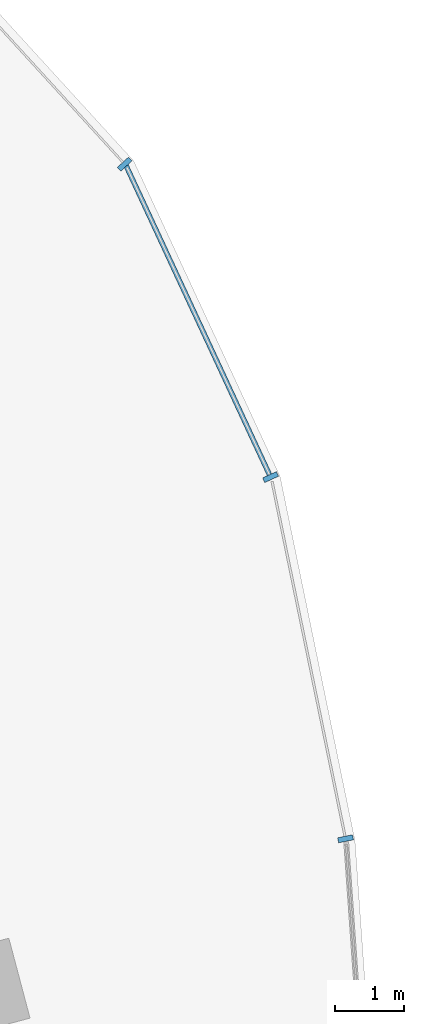
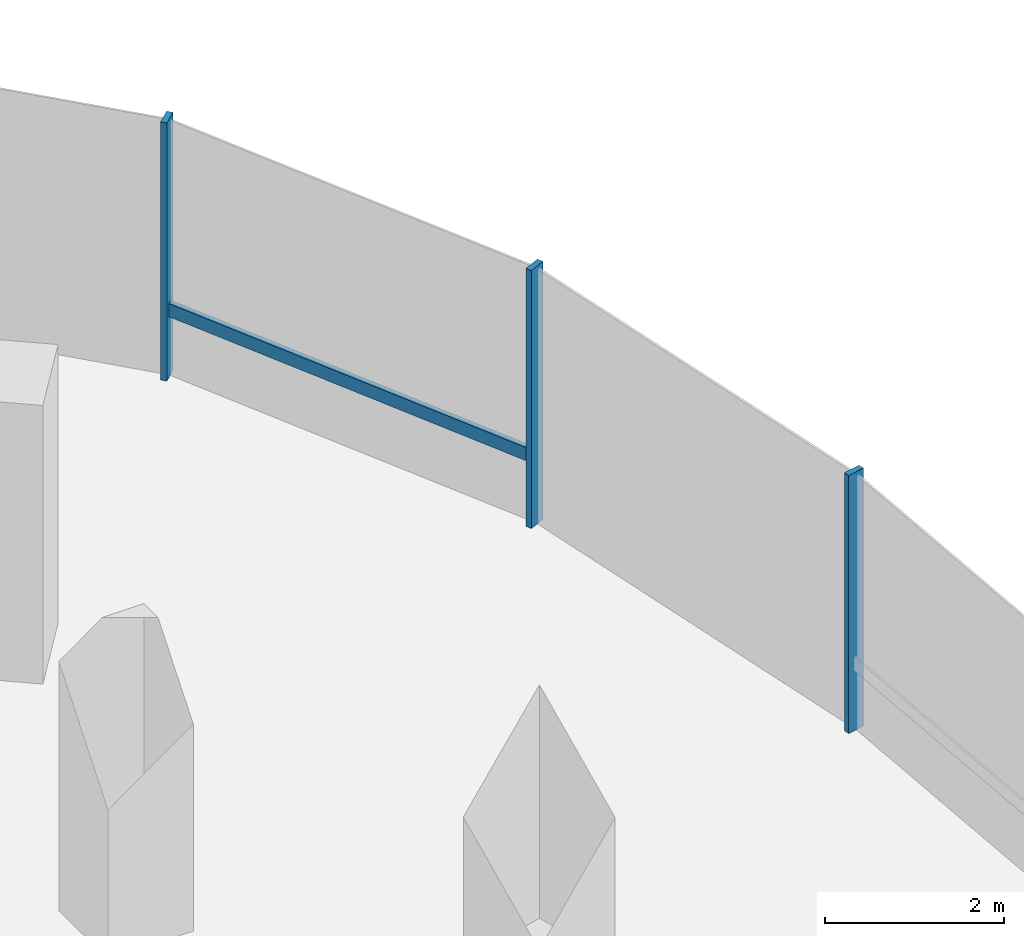
# One storey, part 8 of 21: 4 members, 1 element without a shape of its own.
"""IFC4 building model written with IfcOpenShell, lengths in metres."""

from ifc_helpers import new_model, si_unit, direction, frame, origin, origin_2d, place, context, subcontext, project, spatial, rectangle, extrude, material, material_profile, profile_set, type_object, element, aggregate, save


model = new_model("IFC4")

# Units and contexts
model_context = context("Model", 3, precision=1e-05, world=origin(), true_north=direction((0.0, 1.0)))
body_context = subcontext(model_context, "Body", "Model", "MODEL_VIEW")
ifc_project = project(units=[si_unit("LENGTHUNIT", "METRE"), si_unit("AREAUNIT", "SQUARE_METRE"), si_unit("VOLUMEUNIT", "CUBIC_METRE"), si_unit("PLANEANGLEUNIT", "RADIAN"), si_unit("MASSUNIT", "GRAM", prefix="KILO"), si_unit("THERMODYNAMICTEMPERATUREUNIT", "KELVIN"), si_unit("POWERUNIT", "WATT")], contexts=[model_context])

# Site, building, storey
site_placement = place(None, origin())
site = spatial("IfcSite", under=ifc_project, at=site_placement, CompositionType="ELEMENT")
building_placement = place(site_placement, origin())
building = spatial("IfcBuilding", under=site, at=building_placement, Name="Cundina Bronze Exchange", CompositionType="ELEMENT")
storey_placement = place(building_placement, frame((0.0, 0.0, 73.39990234375)))
storey = spatial("IfcBuildingStorey", under=building, at=storey_placement, Name="L18", CompositionType="ELEMENT", Elevation=73.39990234375)

# Curtain wall, members
ifc_material = material(Name="Anodised Bronze Aluminium 6063-T6", Category="aluminium")
curtain_wall_type = type_object("IfcCurtainWallType", Name="CWS-TRD-LOW", PredefinedType="NOTDEFINED", material=ifc_material)
curtain_wall_placement = place(storey_placement, origin())
curtain_wall = element("IfcCurtainWall", 1, at=curtain_wall_placement, inside=storey, type_object=curtain_wall_type, Name="L18 CW-02 Curtain Wall Run CWR-L18-E1", PredefinedType="NOTDEFINED")
ifc_material_profile_1 = material_profile(ifc_material, rectangle(XDim=0.074951171875, YDim=0.219970703125, at=origin_2d()), Name="AL75X220", Category="aluminium")
ifc_profile_set_1 = profile_set([ifc_material_profile_1], Name="Anodised Bronze Aluminium 6063-T6")
member_type_1 = type_object("IfcMemberType", Name="CWM-MUL-220", PredefinedType="MULLION", material=ifc_profile_set_1)
member_1_placement = place(storey_placement, frame((50.717041015625, 8.67822265625, 0.0), z_axis=(0.0, 0.0, 1.0), x_axis=(-0.201419845156, 0.979505000486, 0.0)))
member_1 = element("IfcMember", 2, at=member_1_placement, type_object=member_type_1, Name="CW-02 Mullion 2", PredefinedType="MULLION", context=body_context, shape_type="SweptSolid", body=[
    extrude(rectangle(XDim=0.074951171875, YDim=0.219970703125, at=origin_2d()), origin(), (0.0, 0.0, 1.0), 3.52001953125),
])
member_2_placement = place(storey_placement, frame((49.6279296875, 13.931884765625, 0.0), z_axis=(0.0, 0.0, 1.0), x_axis=(-0.42087749791, 0.907117485088, 0.0)))
member_2 = element("IfcMember", 3, at=member_2_placement, type_object=member_type_1, Name="CW-02 Mullion 3", PredefinedType="MULLION", context=body_context, shape_type="SweptSolid", body=[
    extrude(rectangle(XDim=0.074951171875, YDim=0.219970703125, at=origin_2d()), origin(), (0.0, 0.0, 1.0), 3.52001953125),
])
member_3_placement = place(storey_placement, frame((47.508544921875, 18.47705078125, 0.0), z_axis=(0.0, 0.0, 1.0), x_axis=(-0.674302387584, 0.738455340626, 0.0)))
member_3 = element("IfcMember", 4, at=member_3_placement, type_object=member_type_1, Name="CW-02 Mullion 4", PredefinedType="MULLION", context=body_context, shape_type="SweptSolid", body=[
    extrude(rectangle(XDim=0.074951171875, YDim=0.219970703125, at=origin_2d()), origin(), (0.0, 0.0, 1.0), 3.52001953125),
])
ifc_material_profile_2 = material_profile(ifc_material, rectangle(XDim=0.070068359375, YDim=0.179931640625, at=origin_2d()), Name="AL70X180", Category="aluminium")
ifc_profile_set_2 = profile_set([ifc_material_profile_2], Name="Anodised Bronze Aluminium 6063-T6")
member_type_2 = type_object("IfcMemberType", Name="CWM-TRN-180", PredefinedType="USERDEFINED", material=ifc_profile_set_2)
member_4_placement = place(storey_placement, frame((49.610595703125, 13.96923828125, 0.920166015625), z_axis=(-0.420811422796, 0.907148139195, 0.0), x_axis=(-0.907148139195, -0.420811422796, 0.0)))
member_4 = element("IfcMember", 5, at=member_4_placement, type_object=member_type_2, Name="CW-02 Spandrel Transom 3", ObjectType="TRANSOM", PredefinedType="USERDEFINED", context=body_context, shape_type="SweptSolid", body=[
    extrude(rectangle(XDim=0.070068359375, YDim=0.179931640625, at=origin_2d()), origin(), (0.0, 0.0, 1.0), 4.95166015625),
])
aggregate(curtain_wall, [member_1, member_2, member_4, member_3])

save(model, "model.ifc")
